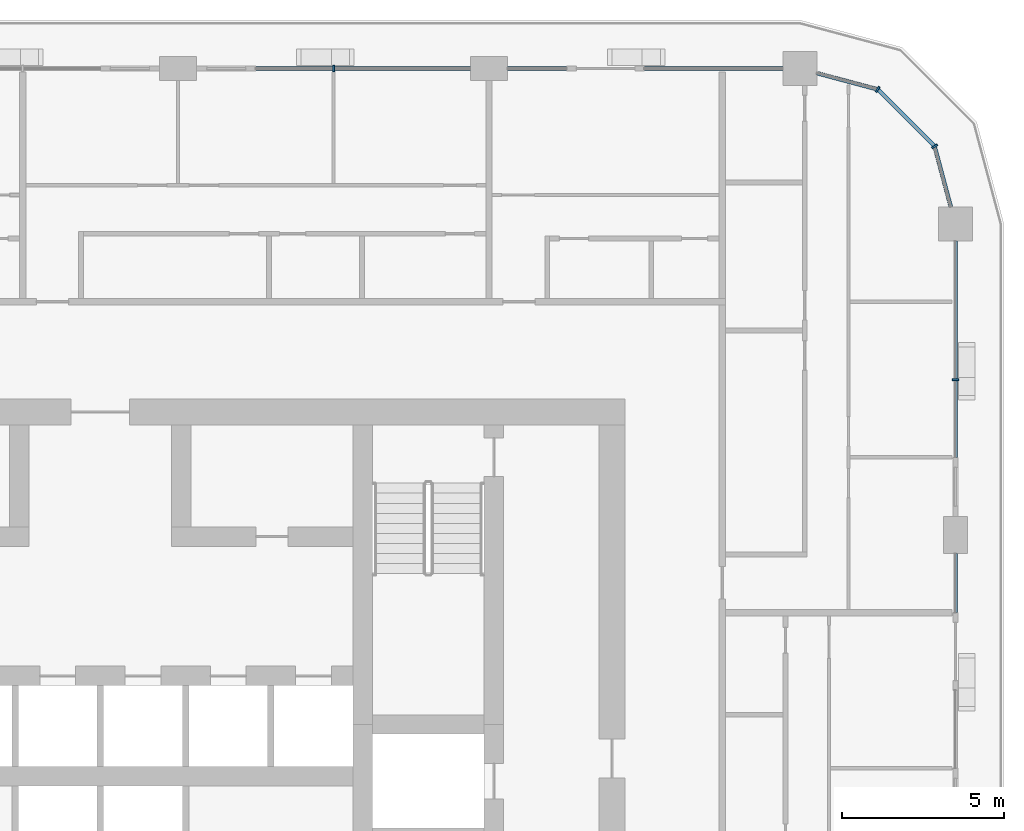
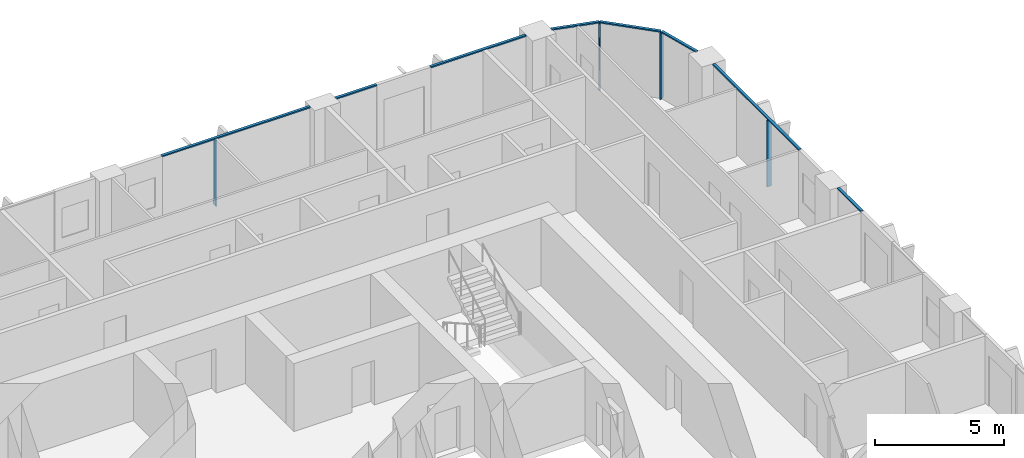
# One storey, part 6 of 22: 12 members, 5 elements without a shape of their own.
"""IFC4 building model written with IfcOpenShell, lengths in metres."""

from ifc_helpers import new_model, si_unit, direction, frame, origin, origin_2d, place, context, subcontext, project, spatial, rectangle, extrude, material, layer, layer_set, material_profile, profile_set, type_object, element, aggregate, save


model = new_model("IFC4")

# Units and contexts
model_context = context("Model", 3, precision=1e-05, world=origin(), true_north=direction((0.0, 1.0)))
body_context = subcontext(model_context, "Body", "Model", "MODEL_VIEW")
ifc_project = project(units=[si_unit("LENGTHUNIT", "METRE"), si_unit("AREAUNIT", "SQUARE_METRE"), si_unit("VOLUMEUNIT", "CUBIC_METRE"), si_unit("PLANEANGLEUNIT", "RADIAN"), si_unit("MASSUNIT", "GRAM", prefix="KILO")], contexts=[model_context])

# Site, building, storey
site_placement = place(None, origin())
site = spatial("IfcSite", under=ifc_project, at=site_placement, CompositionType="ELEMENT")
building_placement = place(site_placement, origin())
building = spatial("IfcBuilding", under=site, at=building_placement, Name="Madar Terraces", CompositionType="ELEMENT")
storey_placement = place(building_placement, frame((0.0, 0.0, 163.0)))
storey = spatial("IfcBuildingStorey", under=building, at=storey_placement, Name="L42", CompositionType="ELEMENT", Elevation=163.0)

# Curtain wall, member
ifc_material_1 = material(Name="Glass, ceramic frit dark grey, with black aluminium frame", Category="aluminium")
ifc_layer = layer(ifc_material_1, 0.199951171875)
ifc_layer_set = layer_set([ifc_layer], Name="Facade curtain wall, fritted glass")
curtain_wall_type = type_object("IfcCurtainWallType", Name="Facade curtain wall, fritted glass", PredefinedType="NOTDEFINED", material=ifc_layer_set)
curtain_wall_1_placement = place(storey_placement, origin())
curtain_wall_1 = element("IfcCurtainWall", 1, at=curtain_wall_1_placement, inside=storey, type_object=curtain_wall_type, Name="Outer skin curtain wall east bay 4", PredefinedType="NOTDEFINED")
ifc_material_2 = material(Name="Aluminium, black anodised", Category="aluminium")
ifc_material_profile_1 = material_profile(ifc_material_2, rectangle(XDim=0.199951171875, YDim=0.06005859375, at=origin_2d()), Name="Facade mullion 60x200")
ifc_profile_set_1 = profile_set([ifc_material_profile_1], Name="Aluminium, black anodised")
member_type_1 = type_object("IfcMemberType", Name="Facade mullion 60x200", PredefinedType="MULLION", material=ifc_profile_set_1)
member_1_placement = place(storey_placement, frame((57.60009765625, 38.39990234375, 0.0), z_axis=(0.0, 0.0, 1.0), x_axis=(-1.0, 0.0, 0.0)))
member_1 = element("IfcMember", 2, at=member_1_placement, type_object=member_type_1, Name="Mullion 1", PredefinedType="MULLION", context=body_context, shape_type="SweptSolid", body=[
    extrude(rectangle(XDim=0.199951171875, YDim=0.06005859375, at=origin_2d()), origin(), (0.0, 0.0, 1.0), 3.139892578125),
])

curtain_wall_2_placement = place(storey_placement, origin())
curtain_wall_2 = element("IfcCurtainWall", 3, at=curtain_wall_2_placement, inside=storey, type_object=curtain_wall_type, Name="Outer skin curtain wall north bay 2", PredefinedType="NOTDEFINED")
member_2_placement = place(storey_placement, frame((38.39990234375, 48.0, 0.0), z_axis=(0.0, 0.0, 1.0), x_axis=(0.0, -1.0, 0.0)))
member_2 = element("IfcMember", 4, at=member_2_placement, type_object=member_type_1, Name="Mullion 1", PredefinedType="MULLION", context=body_context, shape_type="SweptSolid", body=[
    extrude(rectangle(XDim=0.199951171875, YDim=0.06005859375, at=origin_2d()), origin(), (0.0, 0.0, 1.0), 3.139892578125),
])

# Curtain wall, members
curtain_wall_3_placement = place(storey_placement, origin())
curtain_wall_3 = element("IfcCurtainWall", 5, at=curtain_wall_3_placement, inside=storey, type_object=curtain_wall_type, Name="Outer skin curtain wall north-east corner", PredefinedType="NOTDEFINED")
member_3_placement = place(storey_placement, frame((56.95703125, 45.60009765625, 0.0), z_axis=(0.0, 0.0, 1.0), x_axis=(-0.866025409797, -0.499999989586, 0.0)))
member_3 = element("IfcMember", 6, at=member_3_placement, type_object=member_type_1, Name="Mullion 1", PredefinedType="MULLION", context=body_context, shape_type="SweptSolid", body=[
    extrude(rectangle(XDim=0.199951171875, YDim=0.06005859375, at=origin_2d()), origin(), (0.0, 0.0, 1.0), 3.139892578125),
])
member_4_placement = place(storey_placement, frame((55.199951171875, 47.35693359375, 0.0), z_axis=(0.0, 0.0, 1.0), x_axis=(-0.499999989586, -0.866025409797, 0.0)))
member_4 = element("IfcMember", 7, at=member_4_placement, type_object=member_type_1, Name="Mullion 2", PredefinedType="MULLION", context=body_context, shape_type="SweptSolid", body=[
    extrude(rectangle(XDim=0.199951171875, YDim=0.06005859375, at=origin_2d()), origin(), (0.0, 0.0, 1.0), 3.139892578125),
])

# Curtain wall, member
curtain_wall_4_placement = place(storey_placement, origin())
curtain_wall_4 = element("IfcCurtainWall", 8, at=curtain_wall_4_placement, inside=storey, type_object=curtain_wall_type, Name="Outer skin curtain wall east bay 3", PredefinedType="NOTDEFINED")
ifc_material_3 = material(Name="Aluminium, black anodised", Category="aluminium")
ifc_material_profile_2 = material_profile(ifc_material_3, rectangle(XDim=0.1201171875, YDim=0.06005859375, at=origin_2d()), Name="Facade transom 60x120")
ifc_profile_set_2 = profile_set([ifc_material_profile_2], Name="Aluminium, black anodised")
member_type_2 = type_object("IfcMemberType", Name="Facade transom 60x120", PredefinedType="USERDEFINED", material=ifc_profile_set_2)
member_5_placement = place(storey_placement, frame((57.60009765625, 31.199951171875, 3.169921875), z_axis=(0.0, 1.0, 0.0), x_axis=(-1.0, 0.0, 0.0)))
member_5 = element("IfcMember", 9, at=member_5_placement, type_object=member_type_2, Name="Transom 2", ObjectType="TRANSOM", PredefinedType="USERDEFINED", context=body_context, shape_type="SweptSolid", body=[
    extrude(rectangle(XDim=0.1201171875, YDim=0.06005859375, at=origin_2d()), origin(), (0.0, 0.0, 1.0), 1.824951171875),
])
aggregate(curtain_wall_4, [member_5])

# Member
member_6_placement = place(storey_placement, frame((57.60009765625, 36.0, 3.169921875), z_axis=(0.0, 1.0, 0.0), x_axis=(-1.0, 0.0, 0.0)))
member_6 = element("IfcMember", 10, at=member_6_placement, type_object=member_type_2, Name="Transom 1", ObjectType="TRANSOM", PredefinedType="USERDEFINED", context=body_context, shape_type="SweptSolid", body=[
    extrude(rectangle(XDim=0.1201171875, YDim=0.06005859375, at=origin_2d()), origin(), (0.0, 0.0, 1.0), 6.675048828125),
])

aggregate(curtain_wall_1, [member_1, member_6])

# Curtain wall, members
curtain_wall_5_placement = place(storey_placement, origin())
curtain_wall_5 = element("IfcCurtainWall", 11, at=curtain_wall_5_placement, inside=storey, type_object=curtain_wall_type, Name="Outer skin curtain wall north bay 1", PredefinedType="NOTDEFINED")
member_7_placement = place(storey_placement, frame((52.27490234375, 48.0, 3.169921875), z_axis=(-1.0, 0.0, 0.0), x_axis=(0.0, -1.0, 0.0)))
member_7 = element("IfcMember", 12, at=member_7_placement, type_object=member_type_2, Name="Transom 1", ObjectType="TRANSOM", PredefinedType="USERDEFINED", context=body_context, shape_type="SweptSolid", body=[
    extrude(rectangle(XDim=0.1201171875, YDim=0.06005859375, at=origin_2d()), origin(), (0.0, 0.0, 1.0), 4.27490234375),
])
member_8_placement = place(storey_placement, frame((45.60009765625, 48.0, 3.169921875), z_axis=(-1.0, 0.0, 0.0), x_axis=(0.0, -1.0, 0.0)))
member_8 = element("IfcMember", 13, at=member_8_placement, type_object=member_type_2, Name="Transom 2", ObjectType="TRANSOM", PredefinedType="USERDEFINED", context=body_context, shape_type="SweptSolid", body=[
    extrude(rectangle(XDim=0.1201171875, YDim=0.06005859375, at=origin_2d()), origin(), (0.0, 0.0, 1.0), 1.8251953125),
])
aggregate(curtain_wall_5, [member_7, member_8])

# Member
member_9_placement = place(storey_placement, frame((42.625, 48.0, 3.169921875), z_axis=(-1.0, 0.0, 0.0), x_axis=(0.0, -1.0, 0.0)))
member_9 = element("IfcMember", 14, at=member_9_placement, type_object=member_type_2, Name="Transom 1", ObjectType="TRANSOM", PredefinedType="USERDEFINED", context=body_context, shape_type="SweptSolid", body=[
    extrude(rectangle(XDim=0.1201171875, YDim=0.06005859375, at=origin_2d()), origin(), (0.0, 0.0, 1.0), 6.625),
])

aggregate(curtain_wall_2, [member_2, member_9])

member_10_placement = place(storey_placement, frame((57.459228515625, 43.72509765625, 3.169921875), z_axis=(-0.258823354654, 0.965924671538, 0.0), x_axis=(-0.965924671538, -0.258823354654, 0.0)))
member_10 = element("IfcMember", 15, at=member_10_placement, type_object=member_type_2, Name="Transom 1", ObjectType="TRANSOM", PredefinedType="USERDEFINED", context=body_context, shape_type="SweptSolid", body=[
    extrude(rectangle(XDim=0.1201171875, YDim=0.06005859375, at=origin_2d()), origin(), (0.0, 0.0, 1.0), 1.9111328125),
])

member_11_placement = place(storey_placement, frame((56.935791015625, 45.62109375, 3.169921875), z_axis=(-0.707106781187, 0.707106781187, 0.0), x_axis=(-0.707106781187, -0.707106781187, 0.0)))
member_11 = element("IfcMember", 16, at=member_11_placement, type_object=member_type_2, Name="Transom 2", ObjectType="TRANSOM", PredefinedType="USERDEFINED", context=body_context, shape_type="SweptSolid", body=[
    extrude(rectangle(XDim=0.1201171875, YDim=0.06005859375, at=origin_2d()), origin(), (0.0, 0.0, 1.0), 2.4248046875),
])

member_12_placement = place(storey_placement, frame((55.171142578125, 47.36474609375, 3.169921875), z_axis=(-0.965933227928, 0.25879142023, 0.0), x_axis=(-0.25879142023, -0.965933227928, 0.0)))
member_12 = element("IfcMember", 17, at=member_12_placement, type_object=member_type_2, Name="Transom 3", ObjectType="TRANSOM", PredefinedType="USERDEFINED", context=body_context, shape_type="SweptSolid", body=[
    extrude(rectangle(XDim=0.1201171875, YDim=0.06005859375, at=origin_2d()), origin(), (0.0, 0.0, 1.0), 1.911376953125),
])

aggregate(curtain_wall_3, [member_3, member_10, member_4, member_11, member_12])

save(model, "model.ifc")
